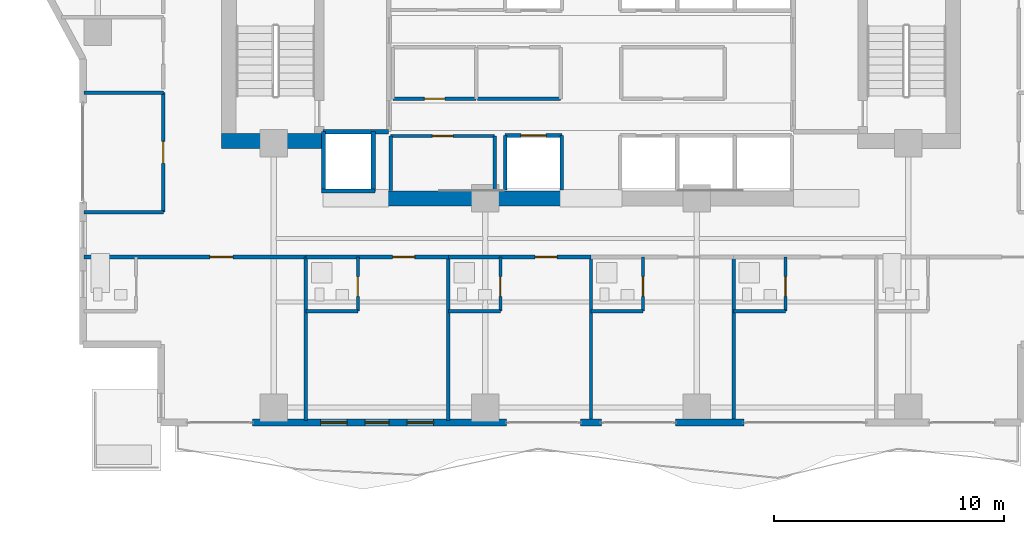
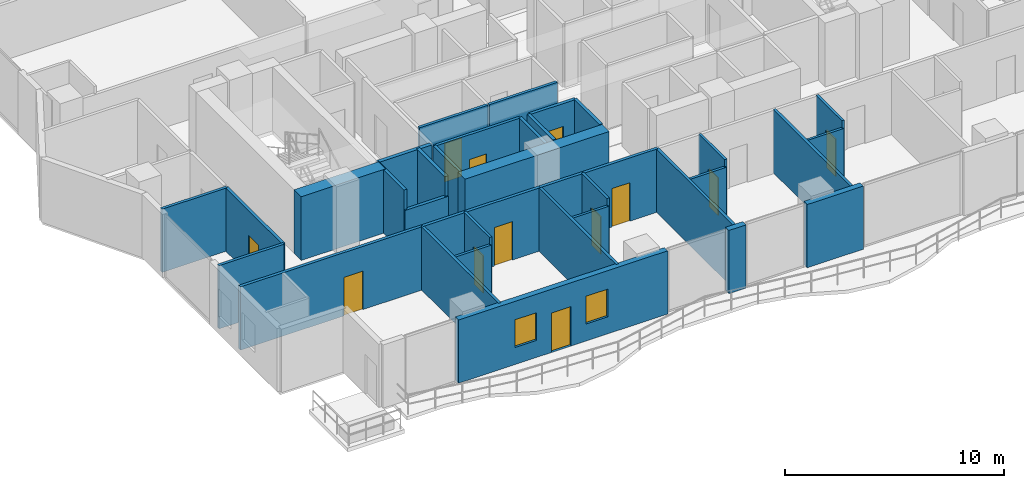
# One storey, part 24 of 32: 35 walls, 12 doors, 2 windows, 14 openings.
"""IFC4 building model written with IfcOpenShell, lengths in metres."""

from ifc_helpers import new_model, si_unit, direction, frame, frame_2d, origin, place, context, subcontext, project, spatial, rectangle, extrude, material, layer, layer_set, type_object, element, fill, save


model = new_model("IFC4")

# Units and contexts
model_context = context("Model", 3, precision=1e-05, world=origin(), true_north=direction((0.0, 1.0)))
body_context = subcontext(model_context, "Body", "Model", "MODEL_VIEW")
ifc_project = project(units=[si_unit("LENGTHUNIT", "METRE"), si_unit("AREAUNIT", "SQUARE_METRE"), si_unit("VOLUMEUNIT", "CUBIC_METRE"), si_unit("PLANEANGLEUNIT", "RADIAN"), si_unit("MASSUNIT", "GRAM", prefix="KILO")], contexts=[model_context])

# Site, building, storey
site_placement = place(None, origin())
site = spatial("IfcSite", under=ifc_project, at=site_placement, CompositionType="ELEMENT")
building_placement = place(site_placement, origin())
building = spatial("IfcBuilding", under=site, at=building_placement, Name="Zuhayl Quay Hotel", CompositionType="ELEMENT")
storey_placement = place(building_placement, frame((0.0, 0.0, 188.64990234375)))
storey = spatial("IfcBuildingStorey", under=building, at=storey_placement, Name="L47", CompositionType="ELEMENT", Elevation=188.64990234375)

# Walls
ifc_material_1 = material(Name="Concrete C50/60", Category="concrete")
ifc_layer_1 = layer(ifc_material_1, 0.64990234375, Name="Concrete C50/60", Category="concrete")
ifc_layer_set_1 = layer_set([ifc_layer_1], Name="Concrete C50/60")
wall_type_1 = type_object("IfcWallType", Name="WL_CORE_650", PredefinedType="SHEAR", material=ifc_layer_set_1)
wall_1_placement = place(storey_placement, frame((-16.06005859375, 4.64501953125, 0.0), z_axis=(0.0, 0.0, 1.0), x_axis=(1.0, 0.0, 0.0)))
element("IfcWall", 1, at=wall_1_placement, inside=storey, type_object=wall_type_1, Name="L47 Core Shear Wall CW_SW", PredefinedType="SHEAR", context=body_context, shape_type="SweptSolid", body=[
    extrude(rectangle(XDim=4.4599609375, YDim=0.64990234375, at=frame_2d((2.22998046875, 0.0))), origin(), (0.0, 0.0, 1.0), 3.56005859375),
])
wall_2_placement = place(storey_placement, frame((-8.85009765625, 2.14990234375, 0.0), z_axis=(0.0, 0.0, 1.0), x_axis=(1.0, 0.0, 0.0)))
element("IfcWall", 2, at=wall_2_placement, inside=storey, type_object=wall_type_1, Name="L47 Core Shear Wall CW_SC_W", PredefinedType="SHEAR", context=body_context, shape_type="SweptSolid", body=[
    extrude(rectangle(XDim=7.60009765625, YDim=0.64990234375, at=frame_2d((3.800048828125, 0.0))), origin(), (0.0, 0.0, 1.0), 3.530029296875),
])
ifc_material_2 = material(Name="Precast concrete C45/55", Category="concrete")
ifc_layer_2 = layer(ifc_material_2, 0.300048828125, Name="Precast concrete C45/55", Category="concrete")
ifc_layer_set_2 = layer_set([ifc_layer_2], Name="Precast concrete C45/55")
wall_type_2 = type_object("IfcWallType", Name="WL_EXT_300", PredefinedType="STANDARD", material=ifc_layer_set_2)
wall_3_placement = place(storey_placement, frame((6.64990234375, -7.60009765625, 0.0), z_axis=(0.0, 0.0, 1.0), x_axis=(-1.0, 0.0, 0.0)))
element("IfcWall", 3, at=wall_3_placement, inside=storey, type_object=wall_type_2, Name="L47 Exterior Precast Wall ENV_L47_S_EW3", PredefinedType="STANDARD", context=body_context, shape_type="SweptSolid", body=[
    extrude(rectangle(XDim=2.969970703125, YDim=0.300048828125, at=frame_2d((1.48486328125, 0.0))), origin(), (0.0, 0.0, 1.0), 3.530029296875),
])
wall_4_placement = place(storey_placement, frame((0.449951171875, -7.60009765625, 0.0), z_axis=(0.0, 0.0, 1.0), x_axis=(-1.0, 0.0, 0.0)))
element("IfcWall", 4, at=wall_4_placement, inside=storey, type_object=wall_type_2, Name="L47 Exterior Precast Wall ENV_L47_S_EW4", PredefinedType="STANDARD", context=body_context, shape_type="SweptSolid", body=[
    extrude(rectangle(XDim=0.89990234375, YDim=0.300048828125, at=frame_2d((0.449951171875, 0.0))), origin(), (0.0, 0.0, 1.0), 3.530029296875),
])

# Wall, openings, door, windows
wall_5_placement = place(storey_placement, frame((-3.679931640625, -7.60009765625, 0.0), z_axis=(0.0, 0.0, 1.0), x_axis=(-1.0, 0.0, 0.0)))
wall_5 = element("IfcWall", 5, at=wall_5_placement, inside=storey, type_object=wall_type_2, Name="L47 Exterior Precast Wall ENV_L47_S_EW5", PredefinedType="STANDARD", context=body_context, shape_type="SweptSolid", body=[
    extrude(rectangle(XDim=11.0400390625, YDim=0.300048828125, at=frame_2d((5.52001953125, 0.0))), origin(), (0.0, 0.0, 1.0), 3.530029296875),
])
opening_1_placement = place(wall_5_placement, frame((5.094970703125, 0.0, 0.0)))
opening_1 = element("IfcOpeningElement", 6, at=opening_1_placement, cuts=wall_5, Name="Opening DG1", PredefinedType="OPENING", context=body_context, shape_type="SweptSolid", body=[
    extrude(rectangle(XDim=1.050048828125, YDim=2.199951171875, at=frame_2d((0.52490234375, 1.10009765625))), frame((0.0, 0.159912109375, 0.0), z_axis=(0.0, -1.0, 0.0), x_axis=(1.0, 0.0, 0.0)), (0.0, 0.0, 1.0), 0.320068359375),
])
opening_2_placement = place(wall_5_placement, frame((3.16748046875, 0.0, 0.949951171875)))
opening_2 = element("IfcOpeningElement", 7, at=opening_2_placement, cuts=wall_5, Name="Opening W01N", PredefinedType="OPENING", context=body_context, shape_type="SweptSolid", body=[
    extrude(rectangle(XDim=1.14990234375, YDim=1.550048828125, at=frame_2d((0.574951171875, 0.77490234375))), frame((0.0, 0.159912109375, 0.0), z_axis=(0.0, -1.0, 0.0), x_axis=(1.0, 0.0, 0.0)), (0.0, 0.0, 1.0), 0.320068359375),
])
opening_3_placement = place(wall_5_placement, frame((6.922607421875, 0.0, 0.949951171875)))
opening_3 = element("IfcOpeningElement", 8, at=opening_3_placement, cuts=wall_5, Name="Opening W01N", PredefinedType="OPENING", context=body_context, shape_type="SweptSolid", body=[
    extrude(rectangle(XDim=1.14990234375, YDim=1.550048828125, at=frame_2d((0.574951171875, 0.77490234375))), frame((0.0, 0.159912109375, 0.0), z_axis=(0.0, -1.0, 0.0), x_axis=(1.0, 0.0, 0.0)), (0.0, 0.0, 1.0), 0.320068359375),
])
ifc_material_3 = material(Name="Anodised Aluminium and Dark Solar Glass", Category="aluminium")
door_type_1 = type_object("IfcDoorType", Name="DR_EXT_TERR_1050", OperationType="NOTDEFINED", PredefinedType="DOOR", material=ifc_material_3)
door_1_placement = place(opening_1_placement, origin())
door_1 = element("IfcDoor", 9, at=door_1_placement, inside=storey, type_object=door_type_1, Name="L47 South Rippling Balcony Door", OperationType="SINGLE_SWING_RIGHT", OverallHeight=2.199951171875, OverallWidth=1.050048828125, PredefinedType="DOOR", context=body_context, shape_type="SweptSolid", body=[
    extrude(rectangle(XDim=1.050048828125, YDim=2.199951171875, at=frame_2d((0.52490234375, 1.10009765625))), frame((0.0, 0.02490234375, 0.0), z_axis=(0.0, -1.0, 0.0), x_axis=(1.0, 0.0, 0.0)), (0.0, 0.0, 1.0), 0.050048828125),
])
fill(opening_1, door_1)
ifc_material_4 = material(Name="Dark Ceramic-Fritted Solar Glass", Category="glass")
window_type = type_object("IfcWindowType", Name="WN_NOTCH_1350", PartitioningType="SINGLE_PANEL", PredefinedType="WINDOW", material=ifc_material_4)
window_1_placement = place(opening_2_placement, origin())
window_1 = element("IfcWindow", 10, at=window_1_placement, inside=storey, type_object=window_type, Name="L47 Operable Facade Window 5-1", OverallHeight=1.550048828125, OverallWidth=1.14990234375, PartitioningType="SINGLE_PANEL", PredefinedType="WINDOW", context=body_context, shape_type="SweptSolid", body=[
    extrude(rectangle(XDim=1.14990234375, YDim=1.550048828125, at=frame_2d((0.574951171875, 0.77490234375))), frame((0.0, 0.030029296875, 0.0), z_axis=(0.0, -1.0, 0.0), x_axis=(1.0, 0.0, 0.0)), (0.0, 0.0, 1.0), 0.06005859375),
])
fill(opening_2, window_1)
window_2_placement = place(opening_3_placement, origin())
window_2 = element("IfcWindow", 11, at=window_2_placement, inside=storey, type_object=window_type, Name="L47 Operable Facade Window 5-2", OverallHeight=1.550048828125, OverallWidth=1.14990234375, PartitioningType="SINGLE_PANEL", PredefinedType="WINDOW", context=body_context, shape_type="SweptSolid", body=[
    extrude(rectangle(XDim=1.14990234375, YDim=1.550048828125, at=frame_2d((0.574951171875, 0.77490234375))), frame((0.0, 0.030029296875, 0.0), z_axis=(0.0, -1.0, 0.0), x_axis=(1.0, 0.0, 0.0)), (0.0, 0.0, 1.0), 0.06005859375),
])
fill(opening_3, window_2)

# Wall, opening, door
ifc_material_5 = material(Name="Acoustic Gypsum Partition STC-58")
ifc_layer_3 = layer(ifc_material_5, 0.14990234375, Name="Acoustic Gypsum Partition STC-58")
ifc_layer_set_3 = layer_set([ifc_layer_3], Name="Acoustic Gypsum Partition STC-58")
wall_type_3 = type_object("IfcWallType", Name="WL_PART_150", PredefinedType="PARTITIONING", material=ifc_layer_set_3)
wall_6_placement = place(storey_placement, frame((-8.7099609375, 4.860107421875, 0.0), z_axis=(0.0, 0.0, 1.0), x_axis=(1.0, 0.0, 0.0)))
wall_6 = element("IfcWall", 12, at=wall_6_placement, inside=storey, type_object=wall_type_3, Name="L47 Partition IW_L47_FLP_S_N", PredefinedType="PARTITIONING", context=body_context, shape_type="SweptSolid", body=[
    extrude(rectangle(XDim=4.52001953125, YDim=0.14990234375, at=frame_2d((2.260009765625, 0.0))), origin(), (0.0, 0.0, 1.0), 3.530029296875),
])
opening_4_placement = place(wall_6_placement, frame((1.81005859375, 0.0, 0.0)))
opening_4 = element("IfcOpeningElement", 13, at=opening_4_placement, cuts=wall_6, Name="Opening D06", PredefinedType="OPENING", context=body_context, shape_type="SweptSolid", body=[
    extrude(rectangle(XDim=0.89990234375, YDim=2.14990234375, at=frame_2d((0.449951171875, 1.074951171875))), frame((0.0, 0.0849609375, 0.0), z_axis=(0.0, -1.0, 0.0), x_axis=(1.0, 0.0, 0.0)), (0.0, 0.0, 1.0), 0.169921875),
])
ifc_material_6 = material(Name="Steel ASTM A992 Grade 50", Category="steel")
door_type_2 = type_object("IfcDoorType", Name="DR_INT_900", OperationType="NOTDEFINED", PredefinedType="DOOR", material=ifc_material_6)
door_2_placement = place(opening_4_placement, origin())
door_2 = element("IfcDoor", 14, at=door_2_placement, inside=storey, type_object=door_type_2, Name="L47 Sommelier Closet Door", OperationType="SINGLE_SWING_RIGHT", OverallHeight=2.14990234375, OverallWidth=0.89990234375, PredefinedType="DOOR", context=body_context, shape_type="SweptSolid", body=[
    extrude(rectangle(XDim=0.89990234375, YDim=2.14990234375, at=frame_2d((0.449951171875, 1.074951171875))), frame((0.0, 0.02490234375, 0.0), z_axis=(0.0, -1.0, 0.0), x_axis=(1.0, 0.0, 0.0)), (0.0, 0.0, 1.0), 0.050048828125),
])
fill(opening_4, door_2)

wall_7_placement = place(storey_placement, frame((-8.610107421875, 6.47998046875, 0.0), z_axis=(0.0, 0.0, 1.0), x_axis=(1.0, 0.0, 0.0)))
wall_7 = element("IfcWall", 15, at=wall_7_placement, inside=storey, type_object=wall_type_3, Name="L47 Partition IW_L47_CORE_SW_S", PredefinedType="PARTITIONING", context=body_context, shape_type="SweptSolid", body=[
    extrude(rectangle(XDim=3.6201171875, YDim=0.14990234375, at=frame_2d((1.81005859375, 0.0))), origin(), (0.0, 0.0, 1.0), 3.530029296875),
])
opening_5_placement = place(wall_7_placement, frame((1.360107421875, 0.0, 0.0)))
opening_5 = element("IfcOpeningElement", 16, at=opening_5_placement, cuts=wall_7, Name="Opening D06", PredefinedType="OPENING", context=body_context, shape_type="SweptSolid", body=[
    extrude(rectangle(XDim=0.89990234375, YDim=2.14990234375, at=frame_2d((0.449951171875, 1.074951171875))), frame((0.0, 0.0849609375, 0.0), z_axis=(0.0, -1.0, 0.0), x_axis=(1.0, 0.0, 0.0)), (0.0, 0.0, 1.0), 0.169921875),
])
door_3_placement = place(opening_5_placement, origin())
door_3 = element("IfcDoor", 17, at=door_3_placement, inside=storey, type_object=door_type_2, Name="L47 Floor Switchgear Closet Door", OperationType="SINGLE_SWING_RIGHT", OverallHeight=2.14990234375, OverallWidth=0.89990234375, PredefinedType="DOOR", context=body_context, shape_type="SweptSolid", body=[
    extrude(rectangle(XDim=0.89990234375, YDim=2.14990234375, at=frame_2d((0.449951171875, 1.074951171875))), frame((0.0, 0.02490234375, 0.0), z_axis=(0.0, -1.0, 0.0), x_axis=(1.0, 0.0, 0.0)), (0.0, 0.0, 1.0), 0.050048828125),
])
fill(opening_5, door_3)

# Walls
for number, where, z_axis, x_axis, name in (
    (18, (-8.7099609375, 2.489990234375, 0.0), (0.0, 0.0, 1.0), (0.0, 1.0, 0.0), "L47 Partition IW_L47_FLP_S_W"),
    (19, (-4.18994140625, 2.489990234375, 0.0), (0.0, 0.0, 1.0), (0.0, 1.0, 0.0), "L47 Partition IW_L47_FLP_S_E"),
):
    element("IfcWall", number, at=place(storey_placement, frame(where, z_axis=z_axis, x_axis=x_axis)), inside=storey, type_object=wall_type_3, Name=name, PredefinedType="PARTITIONING", context=body_context, shape_type="SweptSolid", body=[
        extrude(rectangle(XDim=2.3701171875, YDim=0.14990234375, at=frame_2d((1.18505859375, 0.0))), origin(), (0.0, 0.0, 1.0), 3.530029296875),
    ])
wall_8_placement = place(storey_placement, frame((-4.929931640625, 6.47998046875, 0.0), z_axis=(0.0, 0.0, 1.0), x_axis=(1.0, 0.0, 0.0)))
element("IfcWall", 20, at=wall_8_placement, inside=storey, type_object=wall_type_3, Name="L47 Partition IW_L47_CORE_BM_S", PredefinedType="PARTITIONING", context=body_context, shape_type="SweptSolid", body=[
    extrude(rectangle(XDim=3.60986328125, YDim=0.14990234375, at=frame_2d((1.804931640625, 0.0))), origin(), (0.0, 0.0, 1.0), 3.530029296875),
])
for number, where, z_axis, x_axis, name in (
    (21, (-12.39990234375, -7.52001953125, 0.0), (0.0, 0.0, 1.0), (0.0, 1.0, 0.0), "L47 Partition IW_L47_SU01_E"),
    (22, (-6.199951171875, -7.52001953125, 0.0), (0.0, 0.0, 1.0), (0.0, 1.0, 0.0), "L47 Partition IW_L47_SU02_E"),
    (23, (0.0, -7.52001953125, 0.0), (0.0, 0.0, 1.0), (0.0, 1.0, 0.0), "L47 Partition IW_L47_SU03_E"),
    (24, (6.199951171875, -7.52001953125, 0.0), (0.0, 0.0, 1.0), (0.0, 1.0, 0.0), "L47 Partition IW_L47_SU04_E"),
):
    element("IfcWall", number, at=place(storey_placement, frame(where, z_axis=z_axis, x_axis=x_axis)), inside=storey, type_object=wall_type_3, Name=name, PredefinedType="PARTITIONING", context=body_context, shape_type="SweptSolid", body=[
        extrude(rectangle(XDim=7.1201171875, YDim=0.14990234375, at=frame_2d((3.56005859375, 0.0))), origin(), (0.0, 0.0, 1.0), 3.530029296875),
    ])
for number, where, z_axis, x_axis, name in (
    (25, (-22.0400390625, 1.550048828125, 0.0), (0.0, 0.0, 1.0), (1.0, 0.0, 0.0), "L47 Partition IW_L47_WPROW_1_S"),
    (26, (-22.0400390625, 6.75, 0.0), (0.0, 0.0, 1.0), (1.0, 0.0, 0.0), "L47 Partition IW_L47_WPROW_1_N"),
):
    element("IfcWall", number, at=place(storey_placement, frame(where, z_axis=z_axis, x_axis=x_axis)), inside=storey, type_object=wall_type_3, Name=name, PredefinedType="PARTITIONING", context=body_context, shape_type="SweptSolid", body=[
        extrude(rectangle(XDim=3.43994140625, YDim=0.14990234375, at=frame_2d((1.719970703125, 0.0))), origin(), (0.0, 0.0, 1.0), 3.530029296875),
    ])

# Wall, opening, door
ifc_layer_4 = layer(ifc_material_5, 0.159912109375, Name="Acoustic Gypsum Partition STC-58")
ifc_layer_set_4 = layer_set([ifc_layer_4], Name="Acoustic Gypsum Partition STC-58")
wall_type_4 = type_object("IfcWallType", Name="WL_PART_CORR_160", PredefinedType="PARTITIONING", material=ifc_layer_set_4)
wall_9_placement = place(storey_placement, frame((-22.0400390625, -0.39990234375, 0.0), z_axis=(0.0, 0.0, 1.0), x_axis=(1.0, 0.0, 0.0)))
wall_9 = element("IfcWall", 27, at=wall_9_placement, inside=storey, type_object=wall_type_4, Name="L47 Partition IW_L47_SU01_COR", PredefinedType="PARTITIONING", context=body_context, shape_type="SweptSolid", body=[
    extrude(rectangle(XDim=9.64013671875, YDim=0.159912109375, at=frame_2d((4.820068359375, 0.0))), origin(), (0.0, 0.0, 1.0), 3.530029296875),
])
opening_6_placement = place(wall_9_placement, frame((5.469970703125, 0.0, 0.0)))
opening_6 = element("IfcOpeningElement", 28, at=opening_6_placement, cuts=wall_9, Name="Opening D03L", PredefinedType="OPENING", context=body_context, shape_type="SweptSolid", body=[
    extrude(rectangle(XDim=1.0, YDim=2.14990234375, at=frame_2d((0.5, 1.074951171875))), frame((0.0, 0.08984375, 0.0), z_axis=(0.0, -1.0, 0.0), x_axis=(1.0, 0.0, 0.0)), (0.0, 0.0, 1.0), 0.179931640625),
])
ifc_material_7 = material(Name="Solid Walnut Acoustic Fire Door")
door_type_3 = type_object("IfcDoorType", Name="DR_SUITE_1000", OperationType="NOTDEFINED", PredefinedType="DOOR", material=ifc_material_7)
door_4_placement = place(opening_6_placement, origin())
door_4 = element("IfcDoor", 29, at=door_4_placement, inside=storey, type_object=door_type_3, Name="L47 Premier Twin Guest Room L47-01 Entrance Door", OperationType="SINGLE_SWING_LEFT", OverallHeight=2.14990234375, OverallWidth=1.0, PredefinedType="DOOR", context=body_context, shape_type="SweptSolid", body=[
    extrude(rectangle(XDim=1.0, YDim=2.14990234375, at=frame_2d((0.5, 1.074951171875))), frame((0.0, 0.02490234375, 0.0), z_axis=(0.0, -1.0, 0.0), x_axis=(1.0, 0.0, 0.0)), (0.0, 0.0, 1.0), 0.050048828125),
])
fill(opening_6, door_4)

wall_10_placement = place(storey_placement, frame((-12.39990234375, -0.39990234375, 0.0), z_axis=(0.0, 0.0, 1.0), x_axis=(1.0, 0.0, 0.0)))
wall_10 = element("IfcWall", 30, at=wall_10_placement, inside=storey, type_object=wall_type_4, Name="L47 Partition IW_L47_SU02_COR", PredefinedType="PARTITIONING", context=body_context, shape_type="SweptSolid", body=[
    extrude(rectangle(XDim=6.199951171875, YDim=0.159912109375, at=frame_2d((3.10009765625, 0.0))), origin(), (0.0, 0.0, 1.0), 3.530029296875),
])
opening_7_placement = place(wall_10_placement, frame((3.77490234375, 0.0, 0.0)))
opening_7 = element("IfcOpeningElement", 31, at=opening_7_placement, cuts=wall_10, Name="Opening D03", PredefinedType="OPENING", context=body_context, shape_type="SweptSolid", body=[
    extrude(rectangle(XDim=0.949951171875, YDim=2.14990234375, at=frame_2d((0.47509765625, 1.074951171875))), frame((0.0, 0.08984375, 0.0), z_axis=(0.0, -1.0, 0.0), x_axis=(1.0, 0.0, 0.0)), (0.0, 0.0, 1.0), 0.179931640625),
])
door_type_4 = type_object("IfcDoorType", Name="DR_SUITE_950", OperationType="NOTDEFINED", PredefinedType="DOOR", material=ifc_material_7)
door_5_placement = place(opening_7_placement, origin())
door_5 = element("IfcDoor", 32, at=door_5_placement, inside=storey, type_object=door_type_4, Name="L47 Premier Twin Guest Room L47-02 Entrance Door", OperationType="SINGLE_SWING_LEFT", OverallHeight=2.14990234375, OverallWidth=0.949951171875, PredefinedType="DOOR", context=body_context, shape_type="SweptSolid", body=[
    extrude(rectangle(XDim=0.949951171875, YDim=2.14990234375, at=frame_2d((0.47509765625, 1.074951171875))), frame((0.0, 0.02490234375, 0.0), z_axis=(0.0, -1.0, 0.0), x_axis=(1.0, 0.0, 0.0)), (0.0, 0.0, 1.0), 0.050048828125),
])
fill(opening_7, door_5)

wall_11_placement = place(storey_placement, frame((-6.199951171875, -0.39990234375, 0.0), z_axis=(0.0, 0.0, 1.0), x_axis=(1.0, 0.0, 0.0)))
wall_11 = element("IfcWall", 33, at=wall_11_placement, inside=storey, type_object=wall_type_4, Name="L47 Partition IW_L47_SU03_COR", PredefinedType="PARTITIONING", context=body_context, shape_type="SweptSolid", body=[
    extrude(rectangle(XDim=6.199951171875, YDim=0.159912109375, at=frame_2d((3.10009765625, 0.0))), origin(), (0.0, 0.0, 1.0), 3.530029296875),
])
opening_8_placement = place(wall_11_placement, frame((3.77490234375, 0.0, 0.0)))
opening_8 = element("IfcOpeningElement", 34, at=opening_8_placement, cuts=wall_11, Name="Opening D03", PredefinedType="OPENING", context=body_context, shape_type="SweptSolid", body=[
    extrude(rectangle(XDim=0.949951171875, YDim=2.14990234375, at=frame_2d((0.47509765625, 1.074951171875))), frame((0.0, 0.08984375, 0.0), z_axis=(0.0, -1.0, 0.0), x_axis=(1.0, 0.0, 0.0)), (0.0, 0.0, 1.0), 0.179931640625),
])
door_6_placement = place(opening_8_placement, origin())
door_6 = element("IfcDoor", 35, at=door_6_placement, inside=storey, type_object=door_type_4, Name="L47 Premier Twin Guest Room L47-03 Entrance Door", OperationType="SINGLE_SWING_LEFT", OverallHeight=2.14990234375, OverallWidth=0.949951171875, PredefinedType="DOOR", context=body_context, shape_type="SweptSolid", body=[
    extrude(rectangle(XDim=0.949951171875, YDim=2.14990234375, at=frame_2d((0.47509765625, 1.074951171875))), frame((0.0, 0.02490234375, 0.0), z_axis=(0.0, -1.0, 0.0), x_axis=(1.0, 0.0, 0.0)), (0.0, 0.0, 1.0), 0.050048828125),
])
fill(opening_8, door_6)

wall_12_placement = place(storey_placement, frame((-18.60009765625, 1.550048828125, 0.0), z_axis=(0.0, 0.0, 1.0), x_axis=(0.0, 1.0, 0.0)))
wall_12 = element("IfcWall", 36, at=wall_12_placement, inside=storey, type_object=wall_type_4, Name="L47 Partition IW_L47_WPROW_1_E", PredefinedType="PARTITIONING", context=body_context, shape_type="SweptSolid", body=[
    extrude(rectangle(XDim=5.199951171875, YDim=0.159912109375, at=frame_2d((2.60009765625, 0.0))), origin(), (0.0, 0.0, 1.0), 3.530029296875),
])
opening_9_placement = place(wall_12_placement, frame((2.125, 0.0, 0.0)))
opening_9 = element("IfcOpeningElement", 37, at=opening_9_placement, cuts=wall_12, Name="Opening D03", PredefinedType="OPENING", context=body_context, shape_type="SweptSolid", body=[
    extrude(rectangle(XDim=0.949951171875, YDim=2.14990234375, at=frame_2d((0.47509765625, 1.074951171875))), frame((0.0, 0.08984375, 0.0), z_axis=(0.0, -1.0, 0.0), x_axis=(1.0, 0.0, 0.0)), (0.0, 0.0, 1.0), 0.179931640625),
])
door_7_placement = place(opening_9_placement, origin())
door_7 = element("IfcDoor", 38, at=door_7_placement, inside=storey, type_object=door_type_4, Name="L47 West Prow Office L47 Door", OperationType="SINGLE_SWING_RIGHT", OverallHeight=2.14990234375, OverallWidth=0.949951171875, PredefinedType="DOOR", context=body_context, shape_type="SweptSolid", body=[
    extrude(rectangle(XDim=0.949951171875, YDim=2.14990234375, at=frame_2d((0.47509765625, 1.074951171875))), frame((0.0, 0.02490234375, 0.0), z_axis=(0.0, -1.0, 0.0), x_axis=(1.0, 0.0, 0.0)), (0.0, 0.0, 1.0), 0.050048828125),
])
fill(opening_9, door_7)

ifc_material_8 = material(Name="Moisture-Resistant Sanitarychase Gypsum")
ifc_layer_5 = layer(ifc_material_8, 0.135009765625, Name="Moisture-Resistant Sanitarychase Gypsum")
ifc_layer_set_5 = layer_set([ifc_layer_5], Name="Moisture-Resistant Sanitarychase Gypsum")
wall_type_5 = type_object("IfcWallType", Name="WL_PART_PLUMB_150", PredefinedType="PLUMBINGWALL", material=ifc_layer_set_5)
wall_13_placement = place(storey_placement, frame((-10.139892578125, -2.760009765625, 0.0), z_axis=(0.0, 0.0, 1.0), x_axis=(0.0, 1.0, 0.0)))
wall_13 = element("IfcWall", 39, at=wall_13_placement, inside=storey, type_object=wall_type_5, Name="L47 Partition IW_L47_SU02_BE", PredefinedType="PLUMBINGWALL", context=body_context, shape_type="SweptSolid", body=[
    extrude(rectangle(XDim=2.360107421875, YDim=0.135009765625, at=frame_2d((1.18017578125, 0.0))), origin(), (0.0, 0.0, 1.0), 3.530029296875),
])
opening_10_placement = place(wall_13_placement, frame((0.64990234375, 0.0, 0.0)))
opening_10 = element("IfcOpeningElement", 40, at=opening_10_placement, cuts=wall_13, Name="Opening D04", PredefinedType="OPENING", context=body_context, shape_type="SweptSolid", body=[
    extrude(rectangle(XDim=0.85009765625, YDim=2.10009765625, at=frame_2d((0.425048828125, 1.050048828125))), frame((0.0, 0.077392578125, 0.0), z_axis=(0.0, -1.0, 0.0), x_axis=(1.0, 0.0, 0.0)), (0.0, 0.0, 1.0), 0.155029296875),
])
ifc_material_9 = material(Name="Moisture-Resistant Walnut Veneer")
door_type_5 = type_object("IfcDoorType", Name="DR_BATH_850", OperationType="NOTDEFINED", PredefinedType="DOOR", material=ifc_material_9)
door_8_placement = place(opening_10_placement, origin())
door_8 = element("IfcDoor", 41, at=door_8_placement, inside=storey, type_object=door_type_5, Name="L47 Premier Twin Guest Room L47-02 En-Suite Door", OperationType="SINGLE_SWING_RIGHT", OverallHeight=2.10009765625, OverallWidth=0.85009765625, PredefinedType="DOOR", context=body_context, shape_type="SweptSolid", body=[
    extrude(rectangle(XDim=0.85009765625, YDim=2.10009765625, at=frame_2d((0.425048828125, 1.050048828125))), frame((0.0, 0.02490234375, 0.0), z_axis=(0.0, -1.0, 0.0), x_axis=(1.0, 0.0, 0.0)), (0.0, 0.0, 1.0), 0.050048828125),
])
fill(opening_10, door_8)

wall_14_placement = place(storey_placement, frame((-3.93994140625, -2.760009765625, 0.0), z_axis=(0.0, 0.0, 1.0), x_axis=(0.0, 1.0, 0.0)))
wall_14 = element("IfcWall", 42, at=wall_14_placement, inside=storey, type_object=wall_type_5, Name="L47 Partition IW_L47_SU03_BE", PredefinedType="PLUMBINGWALL", context=body_context, shape_type="SweptSolid", body=[
    extrude(rectangle(XDim=2.360107421875, YDim=0.135009765625, at=frame_2d((1.18017578125, 0.0))), origin(), (0.0, 0.0, 1.0), 3.530029296875),
])
opening_11_placement = place(wall_14_placement, frame((0.64990234375, 0.0, 0.0)))
opening_11 = element("IfcOpeningElement", 43, at=opening_11_placement, cuts=wall_14, Name="Opening D04", PredefinedType="OPENING", context=body_context, shape_type="SweptSolid", body=[
    extrude(rectangle(XDim=0.85009765625, YDim=2.10009765625, at=frame_2d((0.425048828125, 1.050048828125))), frame((0.0, 0.077392578125, 0.0), z_axis=(0.0, -1.0, 0.0), x_axis=(1.0, 0.0, 0.0)), (0.0, 0.0, 1.0), 0.155029296875),
])
door_9_placement = place(opening_11_placement, origin())
door_9 = element("IfcDoor", 44, at=door_9_placement, inside=storey, type_object=door_type_5, Name="L47 Premier Twin Guest Room L47-03 En-Suite Door", OperationType="SINGLE_SWING_RIGHT", OverallHeight=2.10009765625, OverallWidth=0.85009765625, PredefinedType="DOOR", context=body_context, shape_type="SweptSolid", body=[
    extrude(rectangle(XDim=0.85009765625, YDim=2.10009765625, at=frame_2d((0.425048828125, 1.050048828125))), frame((0.0, 0.02490234375, 0.0), z_axis=(0.0, -1.0, 0.0), x_axis=(1.0, 0.0, 0.0)), (0.0, 0.0, 1.0), 0.050048828125),
])
fill(opening_11, door_9)

wall_15_placement = place(storey_placement, frame((2.260009765625, -2.760009765625, 0.0), z_axis=(0.0, 0.0, 1.0), x_axis=(0.0, 1.0, 0.0)))
wall_15 = element("IfcWall", 45, at=wall_15_placement, inside=storey, type_object=wall_type_5, Name="L47 Partition IW_L47_SU04_BE", PredefinedType="PLUMBINGWALL", context=body_context, shape_type="SweptSolid", body=[
    extrude(rectangle(XDim=2.360107421875, YDim=0.135009765625, at=frame_2d((1.18017578125, 0.0))), origin(), (0.0, 0.0, 1.0), 3.530029296875),
])
opening_12_placement = place(wall_15_placement, frame((0.64990234375, 0.0, 0.0)))
opening_12 = element("IfcOpeningElement", 46, at=opening_12_placement, cuts=wall_15, Name="Opening D04", PredefinedType="OPENING", context=body_context, shape_type="SweptSolid", body=[
    extrude(rectangle(XDim=0.85009765625, YDim=2.10009765625, at=frame_2d((0.425048828125, 1.050048828125))), frame((0.0, 0.077392578125, 0.0), z_axis=(0.0, -1.0, 0.0), x_axis=(1.0, 0.0, 0.0)), (0.0, 0.0, 1.0), 0.155029296875),
])
door_10_placement = place(opening_12_placement, origin())
door_10 = element("IfcDoor", 47, at=door_10_placement, inside=storey, type_object=door_type_5, Name="L47 Premier Twin Guest Room L47-04 En-Suite Door", OperationType="SINGLE_SWING_RIGHT", OverallHeight=2.10009765625, OverallWidth=0.85009765625, PredefinedType="DOOR", context=body_context, shape_type="SweptSolid", body=[
    extrude(rectangle(XDim=0.85009765625, YDim=2.10009765625, at=frame_2d((0.425048828125, 1.050048828125))), frame((0.0, 0.02490234375, 0.0), z_axis=(0.0, -1.0, 0.0), x_axis=(1.0, 0.0, 0.0)), (0.0, 0.0, 1.0), 0.050048828125),
])
fill(opening_12, door_10)

wall_16_placement = place(storey_placement, frame((8.4599609375, -2.760009765625, 0.0), z_axis=(0.0, 0.0, 1.0), x_axis=(0.0, 1.0, 0.0)))
wall_16 = element("IfcWall", 48, at=wall_16_placement, inside=storey, type_object=wall_type_5, Name="L47 Partition IW_L47_SU05_BE", PredefinedType="PLUMBINGWALL", context=body_context, shape_type="SweptSolid", body=[
    extrude(rectangle(XDim=2.360107421875, YDim=0.135009765625, at=frame_2d((1.18017578125, 0.0))), origin(), (0.0, 0.0, 1.0), 3.530029296875),
])
opening_13_placement = place(wall_16_placement, frame((0.64990234375, 0.0, 0.0)))
opening_13 = element("IfcOpeningElement", 49, at=opening_13_placement, cuts=wall_16, Name="Opening D04", PredefinedType="OPENING", context=body_context, shape_type="SweptSolid", body=[
    extrude(rectangle(XDim=0.85009765625, YDim=2.10009765625, at=frame_2d((0.425048828125, 1.050048828125))), frame((0.0, 0.077392578125, 0.0), z_axis=(0.0, -1.0, 0.0), x_axis=(1.0, 0.0, 0.0)), (0.0, 0.0, 1.0), 0.155029296875),
])
door_11_placement = place(opening_13_placement, origin())
door_11 = element("IfcDoor", 50, at=door_11_placement, inside=storey, type_object=door_type_5, Name="L47 Premier Twin Guest Room L47-05 En-Suite Door", OperationType="SINGLE_SWING_RIGHT", OverallHeight=2.10009765625, OverallWidth=0.85009765625, PredefinedType="DOOR", context=body_context, shape_type="SweptSolid", body=[
    extrude(rectangle(XDim=0.85009765625, YDim=2.10009765625, at=frame_2d((0.425048828125, 1.050048828125))), frame((0.0, 0.02490234375, 0.0), z_axis=(0.0, -1.0, 0.0), x_axis=(1.0, 0.0, 0.0)), (0.0, 0.0, 1.0), 0.050048828125),
])
fill(opening_13, door_11)

# Walls
for number, where, z_axis, x_axis, name in (
    (51, (-12.39990234375, -2.760009765625, 0.0), (0.0, 0.0, 1.0), (1.0, 0.0, 0.0), "L47 Partition IW_L47_SU02_BS"),
    (52, (-6.199951171875, -2.760009765625, 0.0), (0.0, 0.0, 1.0), (1.0, 0.0, 0.0), "L47 Partition IW_L47_SU03_BS"),
    (53, (0.0, -2.760009765625, 0.0), (0.0, 0.0, 1.0), (1.0, 0.0, 0.0), "L47 Partition IW_L47_SU04_BS"),
    (54, (6.199951171875, -2.760009765625, 0.0), (0.0, 0.0, 1.0), (1.0, 0.0, 0.0), "L47 Partition IW_L47_SU05_BS"),
):
    element("IfcWall", number, at=place(storey_placement, frame(where, z_axis=z_axis, x_axis=x_axis)), inside=storey, type_object=wall_type_5, Name=name, PredefinedType="PLUMBINGWALL", context=body_context, shape_type="SweptSolid", body=[
        extrude(rectangle(XDim=2.260009765625, YDim=0.135009765625, at=frame_2d((1.1298828125, 0.0))), origin(), (0.0, 0.0, 1.0), 3.1240234375),
    ])

# Wall, opening, door
ifc_material_10 = material(Name="Gypsum Fireboard Assembly EI-90")
ifc_layer_6 = layer(ifc_material_10, 0.1650390625, Name="Gypsum Fireboard Assembly EI-90")
ifc_layer_set_6 = layer_set([ifc_layer_6], Name="Gypsum Fireboard Assembly EI-90")
wall_type_6 = type_object("IfcWallType", Name="WL_PART_SHAFT_160", PredefinedType="PARTITIONING", material=ifc_layer_set_6)
wall_17_placement = place(storey_placement, frame((-3.72998046875, 4.8798828125, 0.0), z_axis=(0.0, 0.0, 1.0), x_axis=(1.0, 0.0, 0.0)))
wall_17 = element("IfcWall", 55, at=wall_17_placement, inside=storey, type_object=wall_type_6, Name="L47 Partition IW_L47_SH_MP1_F", PredefinedType="PARTITIONING", context=body_context, shape_type="SweptSolid", body=[
    extrude(rectangle(XDim=2.4599609375, YDim=0.1650390625, at=frame_2d((1.22998046875, 0.0))), origin(), (0.0, 0.0, 1.0), 3.530029296875),
])
opening_14_placement = place(wall_17_placement, frame((0.679931640625, 0.0, 0.0)))
opening_14 = element("IfcOpeningElement", 56, at=opening_14_placement, cuts=wall_17, Name="Opening LD1", PredefinedType="OPENING", context=body_context, shape_type="SweptSolid", body=[
    extrude(rectangle(XDim=1.10009765625, YDim=2.25, at=frame_2d((0.550048828125, 1.125))), frame((0.0, 0.092529296875, 0.0), z_axis=(0.0, -1.0, 0.0), x_axis=(1.0, 0.0, 0.0)), (0.0, 0.0, 1.0), 0.18505859375),
])
ifc_material_11 = material(Name="Brushed Stainless Steel", Category="steel")
door_type_6 = type_object("IfcDoorType", Name="DR_LIFT_PASS_1100", OperationType="SLIDING_TO_LEFT", PredefinedType="DOOR", material=ifc_material_11)
door_12_placement = place(opening_14_placement, origin())
door_12 = element("IfcDoor", 57, at=door_12_placement, inside=storey, type_object=door_type_6, Name="L47 Lift MP1 Sliding Landing Door", OperationType="SLIDING_TO_LEFT", OverallHeight=2.25, OverallWidth=1.10009765625, PredefinedType="DOOR", context=body_context, shape_type="SweptSolid", body=[
    extrude(rectangle(XDim=1.10009765625, YDim=2.25, at=frame_2d((0.550048828125, 1.125))), frame((0.0, 0.02490234375, 0.0), z_axis=(0.0, -1.0, 0.0), x_axis=(1.0, 0.0, 0.0)), (0.0, 0.0, 1.0), 0.050048828125),
])
fill(opening_14, door_12)

# Walls
for number, where, z_axis, x_axis, name in (
    (58, (-3.72998046875, 2.52001953125, 0.0), (0.0, 0.0, 1.0), (0.0, 1.0, 0.0), "L47 Partition IW_L47_SH_MP1_W"),
    (59, (-1.27001953125, 2.52001953125, 0.0), (0.0, 0.0, 1.0), (0.0, 1.0, 0.0), "L47 Partition IW_L47_SH_MP1_E"),
):
    element("IfcWall", number, at=place(storey_placement, frame(where, z_axis=z_axis, x_axis=x_axis)), inside=storey, type_object=wall_type_6, Name=name, PredefinedType="PARTITIONING", context=body_context, shape_type="SweptSolid", body=[
        extrude(rectangle(XDim=2.35986328125, YDim=0.1650390625, at=frame_2d((1.179931640625, 0.0))), origin(), (0.0, 0.0, 1.0), 3.530029296875),
    ])
wall_18_placement = place(storey_placement, frame((-11.6298828125, 2.469970703125, 0.0), z_axis=(0.0, 0.0, 1.0), x_axis=(0.0, 1.0, 0.0)))
element("IfcWall", 60, at=wall_18_placement, inside=storey, type_object=wall_type_6, Name="L47 Partition IW_L47_RISER_W", PredefinedType="PARTITIONING", context=body_context, shape_type="SweptSolid", body=[
    extrude(rectangle(XDim=2.580078125, YDim=0.1650390625, at=frame_2d((1.2900390625, 0.0))), origin(), (0.0, 0.0, 1.0), 3.530029296875),
])
wall_19_placement = place(storey_placement, frame((-11.7099609375, 2.469970703125, 0.0), z_axis=(0.0, 0.0, 1.0), x_axis=(1.0, 0.0, 0.0)))
element("IfcWall", 61, at=wall_19_placement, inside=storey, type_object=wall_type_6, Name="L47 Partition IW_L47_RISER_S", PredefinedType="PARTITIONING", context=body_context, shape_type="SweptSolid", body=[
    extrude(rectangle(XDim=2.31005859375, YDim=0.1650390625, at=frame_2d((1.155029296875, 0.0))), origin(), (0.0, 0.0, 1.0), 2.43017578125),
])
ifc_layer_7 = layer(ifc_material_10, 0.179931640625, Name="Gypsum Fireboard Assembly EI-90")
ifc_layer_set_7 = layer_set([ifc_layer_7], Name="Gypsum Fireboard Assembly EI-90")
wall_type_7 = type_object("IfcWallType", Name="WL_PART_SHAFT_180", PredefinedType="PARTITIONING", material=ifc_layer_set_7)
wall_20_placement = place(storey_placement, frame((-9.469970703125, 2.449951171875, 0.0), z_axis=(0.0, 0.0, 1.0), x_axis=(0.0, 1.0, 0.0)))
element("IfcWall", 62, at=wall_20_placement, inside=storey, type_object=wall_type_7, Name="L47 Partition IW_L47_RISER_E", PredefinedType="PARTITIONING", context=body_context, shape_type="SweptSolid", body=[
    extrude(rectangle(XDim=2.60009765625, YDim=0.179931640625, at=frame_2d((1.300048828125, 0.0))), origin(), (0.0, 0.0, 1.0), 3.530029296875),
])
ifc_material_12 = material(Name="Gypsum Fireboard Assembly EI-120")
ifc_layer_8 = layer(ifc_material_12, 0.199951171875, Name="Gypsum Fireboard Assembly EI-120")
ifc_layer_set_8 = layer_set([ifc_layer_8], Name="Gypsum Fireboard Assembly EI-120")
wall_type_8 = type_object("IfcWallType", Name="WL_PART_SHAFT_200", PredefinedType="PARTITIONING", material=ifc_layer_set_8)
wall_21_placement = place(storey_placement, frame((-11.64990234375, 5.050048828125, 0.0), z_axis=(0.0, 0.0, 1.0), x_axis=(1.0, 0.0, 0.0)))
element("IfcWall", 63, at=wall_21_placement, inside=storey, type_object=wall_type_8, Name="L47 Partition IW_L47_FSAE_W_S", PredefinedType="PARTITIONING", context=body_context, shape_type="SweptSolid", body=[
    extrude(rectangle(XDim=2.849853515625, YDim=0.199951171875, at=frame_2d((1.4248046875, 0.0))), origin(), (0.0, 0.0, 1.0), 3.530029296875),
])

save(model, "model.ifc")
